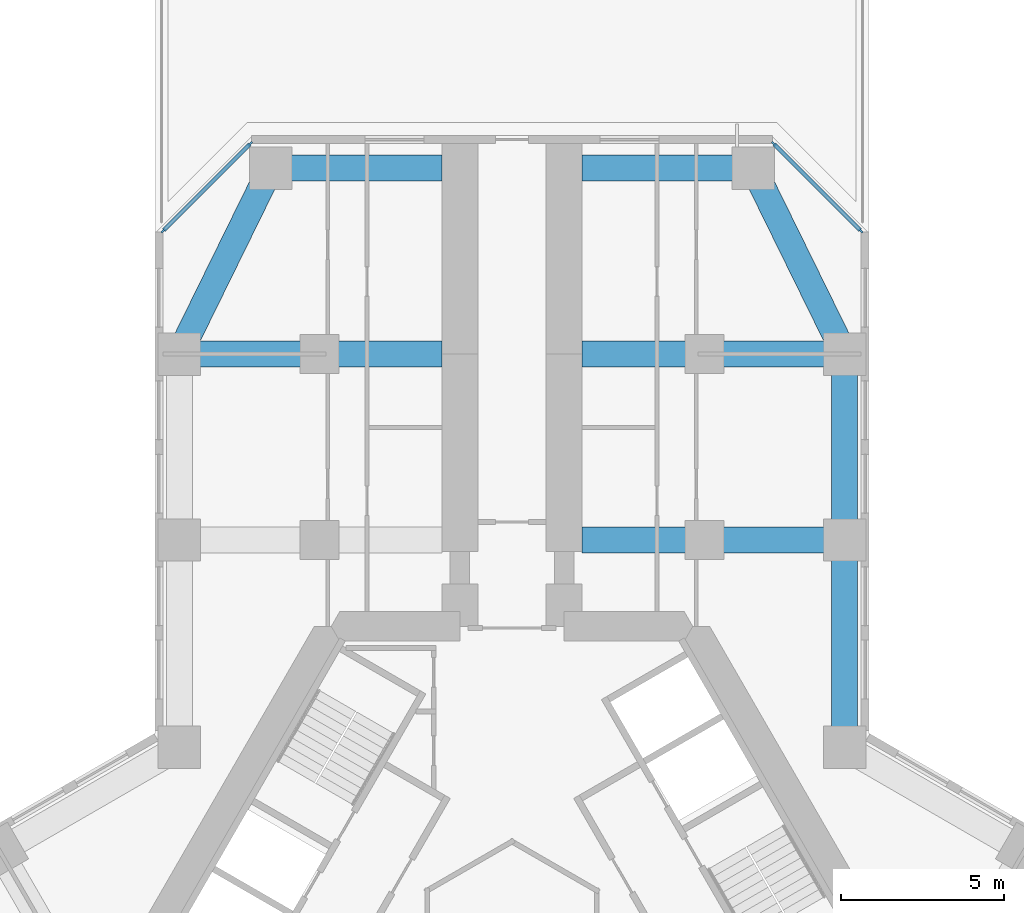
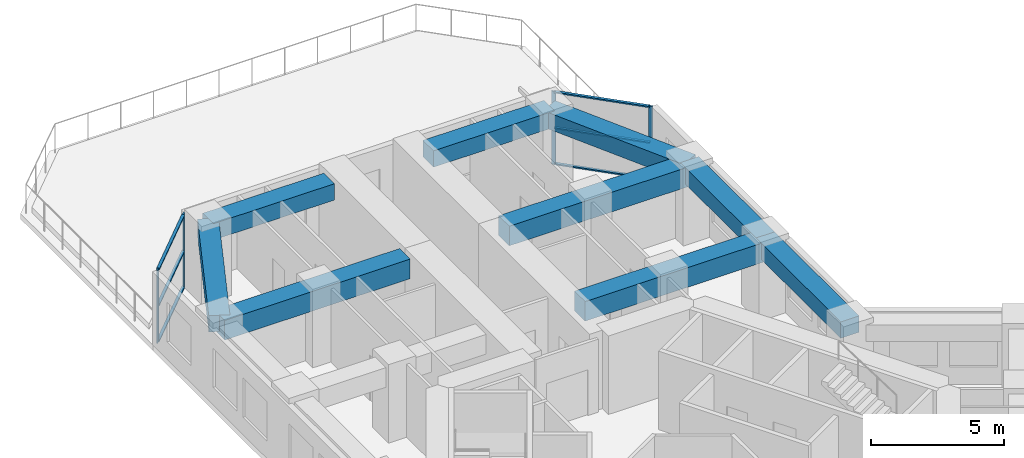
# One storey, part 7 of 19: 10 members, 9 beams, 2 elements without a shape of their own.
"""IFC4 building model written with IfcOpenShell, lengths in metres."""

from ifc_helpers import new_model, si_unit, direction, frame, origin, origin_2d, place, context, subcontext, project, spatial, rectangle, extrude, material, material_profile, profile_set, type_object, element, aggregate, save


model = new_model("IFC4")

# Units and contexts
model_context = context("Model", 3, precision=1e-05, world=origin(), true_north=direction((0.0, 1.0)))
body_context = subcontext(model_context, "Body", "Model", "MODEL_VIEW")
ifc_project = project(units=[si_unit("LENGTHUNIT", "METRE"), si_unit("AREAUNIT", "SQUARE_METRE"), si_unit("VOLUMEUNIT", "CUBIC_METRE"), si_unit("PLANEANGLEUNIT", "RADIAN"), si_unit("MASSUNIT", "GRAM", prefix="KILO")], contexts=[model_context])

# Site, building, storey
site_placement = place(None, origin())
site = spatial("IfcSite", under=ifc_project, at=site_placement, CompositionType="ELEMENT")
building_placement = place(site_placement, origin())
building = spatial("IfcBuilding", under=site, at=building_placement, Name="Kosmar Iwan School Tower", CompositionType="ELEMENT")
storey_placement = place(building_placement, frame((0.0, 0.0, 120.199951171875)))
storey = spatial("IfcBuildingStorey", under=building, at=storey_placement, Name="L29", CompositionType="ELEMENT", Elevation=120.199951171875)

# Curtain wall, members
ifc_material_1 = material(Name="Dark glass in black aluminium frame", Category="aluminium")
curtain_wall_type = type_object("IfcCurtainWallType", Name="Sky lounge curtain wall", PredefinedType="USERDEFINED", material=ifc_material_1)
curtain_wall_1_placement = place(storey_placement, origin())
curtain_wall_1 = element("IfcCurtainWall", 1, at=curtain_wall_1_placement, inside=storey, type_object=curtain_wall_type, Name="Curtain wall L29-F07", ObjectType="FULL HEIGHT CURTAIN WALL", PredefinedType="USERDEFINED")
ifc_material_2 = material(Name="Black anodised aluminium", Category="aluminium")
ifc_material_profile_1 = material_profile(ifc_material_2, rectangle(XDim=0.06005859375, YDim=0.159912109375, at=origin_2d()), Name="MULLION 60x160")
ifc_profile_set_1 = profile_set([ifc_material_profile_1], Name="Black anodised aluminium")
member_type_1 = type_object("IfcMemberType", Name="Mullion 60x160", PredefinedType="MULLION", material=ifc_profile_set_1)
member_1_placement = place(storey_placement, frame((10.69775390625, 21.7255859375, 0.0), z_axis=(0.0, 0.0, 1.0), x_axis=(-0.707106781187, -0.707106781187, 0.0)))
member_1 = element("IfcMember", 2, at=member_1_placement, type_object=member_type_1, Name="CW6 mullion 1", PredefinedType="MULLION", context=body_context, shape_type="SweptSolid", body=[
    extrude(rectangle(XDim=0.06005859375, YDim=0.159912109375, at=origin_2d()), origin(), (0.0, 0.0, 1.0), 3.35009765625),
])
member_2_placement = place(storey_placement, frame((8.025390625, 24.397705078125, 0.0), z_axis=(0.0, 0.0, 1.0), x_axis=(-0.707106781187, -0.707106781187, 0.0)))
member_2 = element("IfcMember", 3, at=member_2_placement, type_object=member_type_1, Name="CW6 mullion 2", PredefinedType="MULLION", context=body_context, shape_type="SweptSolid", body=[
    extrude(rectangle(XDim=0.06005859375, YDim=0.159912109375, at=origin_2d()), origin(), (0.0, 0.0, 1.0), 3.35009765625),
])

curtain_wall_2_placement = place(storey_placement, origin())
curtain_wall_2 = element("IfcCurtainWall", 4, at=curtain_wall_2_placement, inside=storey, type_object=curtain_wall_type, Name="Curtain wall L29-F09", ObjectType="FULL HEIGHT CURTAIN WALL", PredefinedType="USERDEFINED")
member_3_placement = place(storey_placement, frame((-8.025390625, 24.397705078125, 0.0), z_axis=(0.0, 0.0, 1.0), x_axis=(0.707106781187, -0.707106781187, 0.0)))
member_3 = element("IfcMember", 5, at=member_3_placement, type_object=member_type_1, Name="CW6 mullion 1", PredefinedType="MULLION", context=body_context, shape_type="SweptSolid", body=[
    extrude(rectangle(XDim=0.06005859375, YDim=0.159912109375, at=origin_2d()), origin(), (0.0, 0.0, 1.0), 3.35009765625),
])
member_4_placement = place(storey_placement, frame((-10.69775390625, 21.7255859375, 0.0), z_axis=(0.0, 0.0, 1.0), x_axis=(0.707106781187, -0.707106781187, 0.0)))
member_4 = element("IfcMember", 6, at=member_4_placement, type_object=member_type_1, Name="CW6 mullion 2", PredefinedType="MULLION", context=body_context, shape_type="SweptSolid", body=[
    extrude(rectangle(XDim=0.06005859375, YDim=0.159912109375, at=origin_2d()), origin(), (0.0, 0.0, 1.0), 3.35009765625),
])

# Beams
ifc_material_3 = material(Name="Concrete C50/60", Category="concrete")
ifc_material_profile_2 = material_profile(ifc_material_3, rectangle(XDim=0.800048828125, YDim=0.75, at=origin_2d()), Name="RC 800x750")
ifc_profile_set_2 = profile_set([ifc_material_profile_2], Name="Concrete C50/60")
beam_type_1 = type_object("IfcBeamType", Name="RC edge beam 800x750", PredefinedType="BEAM", material=ifc_profile_set_2)
beam_1_placement = place(storey_placement, frame((10.199951171875, 5.888916015625, 2.97509765625), z_axis=(0.0, 1.0, 0.0), x_axis=(-1.0, 0.0, 0.0)))
element("IfcBeam", 7, at=beam_1_placement, inside=storey, type_object=beam_type_1, Name="Edge beam AR1", PredefinedType="BEAM", context=body_context, shape_type="SweptSolid", body=[
    extrude(rectangle(XDim=0.800048828125, YDim=0.75, at=origin_2d()), origin(), (0.0, 0.0, 1.0), 6.361083984375),
])
beam_2_placement = place(storey_placement, frame((10.199951171875, 12.25, 2.97509765625), z_axis=(0.0, 1.0, 0.0), x_axis=(-1.0, 0.0, 0.0)))
element("IfcBeam", 8, at=beam_2_placement, inside=storey, type_object=beam_type_1, Name="Edge beam AR2", PredefinedType="BEAM", context=body_context, shape_type="SweptSolid", body=[
    extrude(rectangle(XDim=0.800048828125, YDim=0.75, at=origin_2d()), origin(), (0.0, 0.0, 1.0), 5.699951171875),
])
ifc_material_4 = material(Name="Concrete C50/60", Category="concrete")
ifc_material_profile_3 = material_profile(ifc_material_4, rectangle(XDim=0.800048828125, YDim=0.75, at=origin_2d()), Name="RC 800x750")
ifc_profile_set_3 = profile_set([ifc_material_profile_3], Name="Concrete C50/60")
beam_type_2 = type_object("IfcBeamType", Name="RC tip beam 800x750", PredefinedType="BEAM", material=ifc_profile_set_3)
beam_3_placement = place(storey_placement, frame((-10.199951171875, 17.949951171875, 2.97509765625), z_axis=(0.440913116462, 0.897549788999, 0.0), x_axis=(-0.897549788999, 0.440913116462, 0.0)))
element("IfcBeam", 9, at=beam_3_placement, inside=storey, type_object=beam_type_2, Name="Tip beam AL", PredefinedType="BEAM", context=body_context, shape_type="SweptSolid", body=[
    extrude(rectangle(XDim=0.800048828125, YDim=0.75, at=origin_2d()), origin(), (0.0, 0.0, 1.0), 6.3505859375),
])
beam_4_placement = place(storey_placement, frame((-7.39990234375, 23.64990234375, 2.97509765625), z_axis=(1.0, 0.0, 0.0), x_axis=(0.0, 1.0, 0.0)))
element("IfcBeam", 10, at=beam_4_placement, inside=storey, type_object=beam_type_2, Name="Tip beam AL to corridor wall", PredefinedType="BEAM", context=body_context, shape_type="SweptSolid", body=[
    extrude(rectangle(XDim=0.800048828125, YDim=0.75, at=origin_2d()), origin(), (0.0, 0.0, 1.0), 5.25),
])
beam_5_placement = place(storey_placement, frame((10.199951171875, 17.949951171875, 2.97509765625), z_axis=(-0.440913116462, 0.897549788999, 0.0), x_axis=(-0.897549788999, -0.440913116462, 0.0)))
element("IfcBeam", 11, at=beam_5_placement, inside=storey, type_object=beam_type_2, Name="Tip beam AR", PredefinedType="BEAM", context=body_context, shape_type="SweptSolid", body=[
    extrude(rectangle(XDim=0.800048828125, YDim=0.75, at=origin_2d()), origin(), (0.0, 0.0, 1.0), 6.3505859375),
])
beam_6_placement = place(storey_placement, frame((7.39990234375, 23.64990234375, 2.97509765625), z_axis=(-1.0, 0.0, 0.0), x_axis=(0.0, -1.0, 0.0)))
element("IfcBeam", 12, at=beam_6_placement, inside=storey, type_object=beam_type_2, Name="Tip beam AR to corridor wall", PredefinedType="BEAM", context=body_context, shape_type="SweptSolid", body=[
    extrude(rectangle(XDim=0.800048828125, YDim=0.75, at=origin_2d()), origin(), (0.0, 0.0, 1.0), 5.25),
])
ifc_material_5 = material(Name="Concrete C50/60", Category="concrete")
ifc_material_profile_4 = material_profile(ifc_material_5, rectangle(XDim=0.800048828125, YDim=0.89990234375, at=origin_2d()), Name="RC 800x900")
ifc_profile_set_4 = profile_set([ifc_material_profile_4], Name="Concrete C50/60")
beam_type_3 = type_object("IfcBeamType", Name="RC transverse beam 800x900", PredefinedType="BEAM", material=ifc_profile_set_4)
for number, where, z_axis, x_axis, name in (
    (13, (-10.199951171875, 17.949951171875, 2.900146484375), (1.0, 0.0, 0.0), (0.0, 1.0, 0.0), "Transverse beam AL2"),
    (14, (10.199951171875, 12.25, 2.900146484375), (-1.0, 0.0, 0.0), (0.0, -1.0, 0.0), "Transverse beam AR1"),
    (15, (10.199951171875, 17.949951171875, 2.900146484375), (-1.0, 0.0, 0.0), (0.0, -1.0, 0.0), "Transverse beam AR2"),
):
    element("IfcBeam", number, at=place(storey_placement, frame(where, z_axis=z_axis, x_axis=x_axis)), inside=storey, type_object=beam_type_3, Name=name, PredefinedType="BEAM", context=body_context, shape_type="SweptSolid", body=[
        extrude(rectangle(XDim=0.800048828125, YDim=0.89990234375, at=origin_2d()), origin(), (0.0, 0.0, 1.0), 8.050048828125),
    ])

# Member
ifc_material_6 = material(Name="Black anodised aluminium", Category="aluminium")
ifc_material_profile_5 = material_profile(ifc_material_6, rectangle(XDim=0.1201171875, YDim=0.06005859375, at=origin_2d()), Name="TRANSOM 60x120")
ifc_profile_set_5 = profile_set([ifc_material_profile_5], Name="Black anodised aluminium")
member_type_2 = type_object("IfcMemberType", Name="Transom 60x120", PredefinedType="USERDEFINED", material=ifc_profile_set_5)
member_5_placement = place(storey_placement, frame((10.676513671875, 21.746826171875, 0.030029296875), z_axis=(-0.707139603466, 0.707073957383, 0.0), x_axis=(-0.707073957383, -0.707139603466, 0.0)))
member_5 = element("IfcMember", 16, at=member_5_placement, type_object=member_type_2, Name="CW6 transom 1.1", ObjectType="TRANSOM", PredefinedType="USERDEFINED", context=body_context, shape_type="SweptSolid", body=[
    extrude(rectangle(XDim=0.1201171875, YDim=0.06005859375, at=origin_2d()), origin(), (0.0, 0.0, 1.0), 3.718994140625),
])

member_6_placement = place(storey_placement, frame((10.676513671875, 21.746826171875, 1.675048828125), z_axis=(-0.707139603466, 0.707073957383, 0.0), x_axis=(-0.707073957383, -0.707139603466, 0.0)))
member_6 = element("IfcMember", 17, at=member_6_placement, type_object=member_type_2, Name="CW6 transom 1.2", ObjectType="TRANSOM", PredefinedType="USERDEFINED", context=body_context, shape_type="SweptSolid", body=[
    extrude(rectangle(XDim=0.1201171875, YDim=0.06005859375, at=origin_2d()), origin(), (0.0, 0.0, 1.0), 3.718994140625),
])

member_7_placement = place(storey_placement, frame((10.676513671875, 21.746826171875, 3.320068359375), z_axis=(-0.707139603466, 0.707073957383, 0.0), x_axis=(-0.707073957383, -0.707139603466, 0.0)))
member_7 = element("IfcMember", 18, at=member_7_placement, type_object=member_type_2, Name="CW6 transom 1.3", ObjectType="TRANSOM", PredefinedType="USERDEFINED", context=body_context, shape_type="SweptSolid", body=[
    extrude(rectangle(XDim=0.1201171875, YDim=0.06005859375, at=origin_2d()), origin(), (0.0, 0.0, 1.0), 3.718994140625),
])

aggregate(curtain_wall_1, [member_1, member_2, member_5, member_6, member_7])

member_8_placement = place(storey_placement, frame((-8.046630859375, 24.37646484375, 0.030029296875), z_axis=(-0.707139603466, -0.707073957383, 0.0), x_axis=(0.707073957383, -0.707139603466, 0.0)))
member_8 = element("IfcMember", 19, at=member_8_placement, type_object=member_type_2, Name="CW6 transom 1.1", ObjectType="TRANSOM", PredefinedType="USERDEFINED", context=body_context, shape_type="SweptSolid", body=[
    extrude(rectangle(XDim=0.1201171875, YDim=0.06005859375, at=origin_2d()), origin(), (0.0, 0.0, 1.0), 3.718994140625),
])

member_9_placement = place(storey_placement, frame((-8.046630859375, 24.37646484375, 1.675048828125), z_axis=(-0.707139603466, -0.707073957383, 0.0), x_axis=(0.707073957383, -0.707139603466, 0.0)))
member_9 = element("IfcMember", 20, at=member_9_placement, type_object=member_type_2, Name="CW6 transom 1.2", ObjectType="TRANSOM", PredefinedType="USERDEFINED", context=body_context, shape_type="SweptSolid", body=[
    extrude(rectangle(XDim=0.1201171875, YDim=0.06005859375, at=origin_2d()), origin(), (0.0, 0.0, 1.0), 3.718994140625),
])

member_10_placement = place(storey_placement, frame((-8.046630859375, 24.37646484375, 3.320068359375), z_axis=(-0.707139603466, -0.707073957383, 0.0), x_axis=(0.707073957383, -0.707139603466, 0.0)))
member_10 = element("IfcMember", 21, at=member_10_placement, type_object=member_type_2, Name="CW6 transom 1.3", ObjectType="TRANSOM", PredefinedType="USERDEFINED", context=body_context, shape_type="SweptSolid", body=[
    extrude(rectangle(XDim=0.1201171875, YDim=0.06005859375, at=origin_2d()), origin(), (0.0, 0.0, 1.0), 3.718994140625),
])

aggregate(curtain_wall_2, [member_3, member_4, member_8, member_9, member_10])

save(model, "model.ifc")
